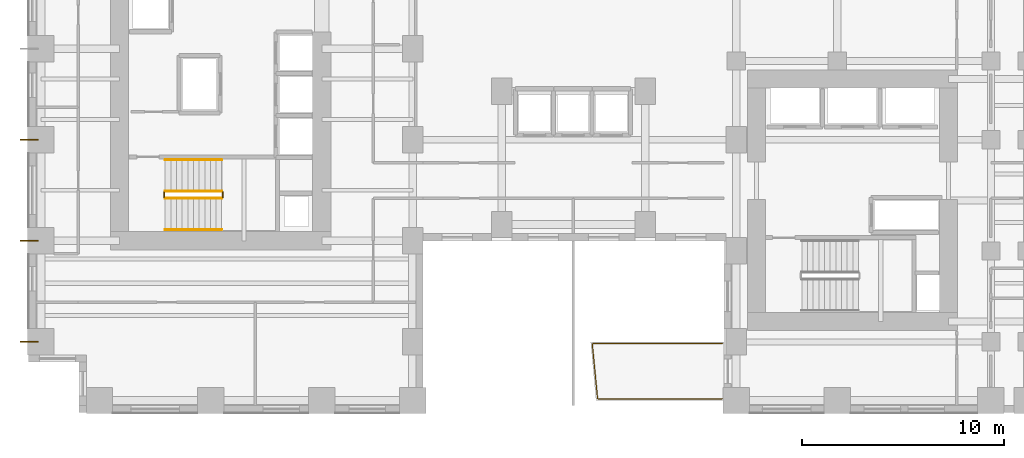
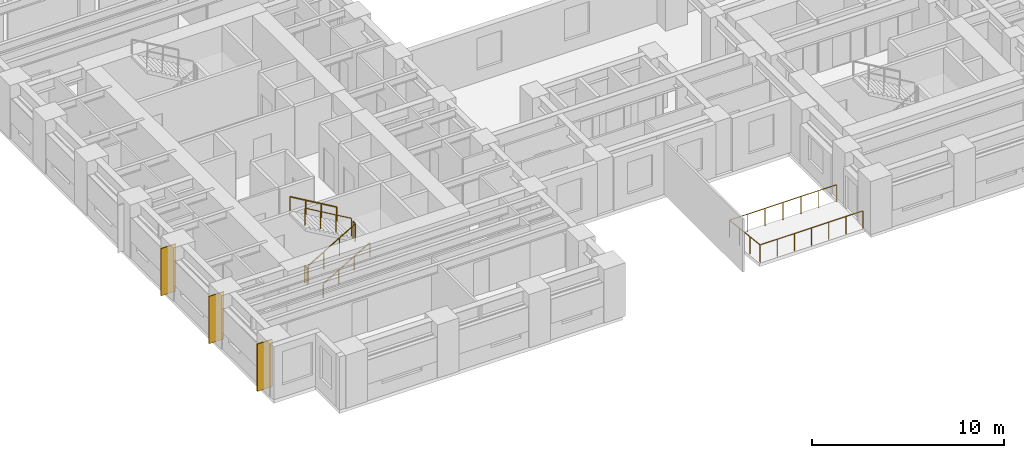
# One storey, part 11 of 13: 7 railings, 3 coverings.
"""IFC4 building model written with IfcOpenShell, lengths in metres."""

from ifc_helpers import new_model, si_unit, direction, frame, origin, origin_2d, place, context, subcontext, project, spatial, rectangle, circle, extrude, source, transform, mapped, material, layer, layer_set, type_object, element, save


model = new_model("IFC4")

# Units and contexts
model_context = context("Model", 3, precision=1e-05, world=origin(), true_north=direction((0.0, 1.0)))
body_context = subcontext(model_context, "Body", "Model", "MODEL_VIEW")
ifc_project = project(units=[si_unit("LENGTHUNIT", "METRE"), si_unit("AREAUNIT", "SQUARE_METRE"), si_unit("VOLUMEUNIT", "CUBIC_METRE"), si_unit("PLANEANGLEUNIT", "RADIAN"), si_unit("MASSUNIT", "GRAM", prefix="KILO")], contexts=[model_context])

# Site, building, storey
site_placement = place(None, origin())
site = spatial("IfcSite", under=ifc_project, at=site_placement, CompositionType="ELEMENT")
building_placement = place(site_placement, origin())
building = spatial("IfcBuilding", under=site, at=building_placement, Name="Kharzan Plaza Tower", CompositionType="ELEMENT")
storey_placement = place(building_placement, frame((0.0, 0.0, 47.699951171875)))
storey = spatial("IfcBuildingStorey", under=building, at=storey_placement, Name="L12", CompositionType="ELEMENT", Elevation=47.699951171875)

# Railings
ifc_material_1 = material(Name="Painted Galvanized Architectural Steel", Category="steel")
ifc_layer_1 = layer(ifc_material_1, 0.074951171875)
ifc_layer_set_1 = layer_set([ifc_layer_1], Name="Painted Galvanized Architectural Steel")
railing_type_1 = type_object("IfcRailingType", Name="RL-GUARD-1120", PredefinedType="BALUSTRADE", material=ifc_layer_set_1)
shared_shape_1 = source(origin(), body_context, "Body", "SweptSolid", [
    extrude(circle(Radius=0.02392578125, at=origin_2d()), frame((0.0, 0.0263671875, 1.09619140625), z_axis=(0.0, 1.0, 0.0), x_axis=(-1.0, 0.0, 0.0)), (0.0, 0.0, 1.0), 0.197021484375),
    extrude(circle(Radius=0.02099609375, at=origin_2d()), origin(), (0.0, 0.0, 1.0), 1.072021484375),
    extrude(circle(Radius=0.02099609375, at=origin_2d()), frame((0.0, 0.25, 0.0)), (0.0, 0.0, 1.0), 1.072021484375),
])
for number, where, name in (
    (1, (9.60009765625, 10.64990234375, 1.800048828125), "L12 ST-1 stair guard 2"),
    (2, (6.699951171875, 10.64990234375, 0.0), "L12 ST-1 stair guard 4"),
):
    element("IfcRailing", number, at=place(storey_placement, frame(where)), inside=storey, type_object=railing_type_1, Name=name, PredefinedType="BALUSTRADE", context=body_context, shape_type="MappedRepresentation", body=[
        mapped(shared_shape_1, transform((0.0, 0.0, 0.0), x_axis=(1.0, 0.0, 0.0), y_axis=(0.0, 1.0, 0.0), z_axis=(0.0, 0.0, 1.0))),
    ])

# Coverings
ifc_material_2 = material(Name="Honed Riyadh Limestone", Category="masonry")
ifc_layer_2 = layer(ifc_material_2, 0.06005859375)
ifc_layer_set_2 = layer_set([ifc_layer_2], Name="Honed Riyadh Limestone")
covering_type = type_object("IfcCoveringType", Name="COV-CLAD-STONE", PredefinedType="CLADDING", material=ifc_layer_set_2)
shared_shape_2 = source(origin(), body_context, "Body", "SweptSolid", [
    extrude(rectangle(XDim=0.06005859375, YDim=0.89990234375, at=origin_2d()), origin(), (0.0, 0.0, 1.0), 3.0),
])
for number, where, z_axis, x_axis, name in (
    (3, (0.02001953125, 13.5, 0.10009765625), (0.0, 0.0, 1.0), (0.0, 1.0, 0.0), "L12 Limestone Pier Rainscreen Cladding TCW-135"),
    (4, (0.02001953125, 3.5, 0.10009765625), (0.0, 0.0, 1.0), (0.0, 1.0, 0.0), "L12 Limestone Pier Rainscreen Cladding TCW-35"),
    (5, (0.02001953125, 8.5, 0.10009765625), (0.0, 0.0, 1.0), (0.0, 1.0, 0.0), "L12 Limestone Pier Rainscreen Cladding TCW-85"),
):
    element("IfcCovering", number, at=place(storey_placement, frame(where, z_axis=z_axis, x_axis=x_axis)), inside=storey, type_object=covering_type, Name=name, PredefinedType="CLADDING", context=body_context, shape_type="MappedRepresentation", body=[
        mapped(shared_shape_2, transform((0.0, 0.0, 0.0), x_axis=(1.0, 0.0, 0.0), y_axis=(0.0, 1.0, 0.0), z_axis=(0.0, 0.0, 1.0))),
    ])

# Railings
shared_shape_3 = source(origin(), body_context, "Body", "SweptSolid", [
    extrude(circle(Radius=0.02392578125, at=origin_2d()), frame((0.02294921875, 0.0, 1.109375), z_axis=(0.863360870873, 0.0, 0.504586966384), x_axis=(0.0, 1.0, 0.0)), (0.0, 0.0, 1.0), 3.190185546875),
    extrude(circle(Radius=0.02099609375, at=origin_2d()), origin(), (0.0, 0.0, 1.0), 1.072021484375),
    extrude(circle(Radius=0.02099609375, at=origin_2d()), frame((0.933349609375, 0.0, 0.54541015625)), (0.0, 0.0, 1.0), 1.072021484375),
    extrude(circle(Radius=0.02099609375, at=origin_2d()), frame((1.86669921875, 0.0, 1.091064453125)), (0.0, 0.0, 1.0), 1.072021484375),
    extrude(circle(Radius=0.02099609375, at=origin_2d()), frame((2.800048828125, 0.0, 1.636474609375)), (0.0, 0.0, 1.0), 1.072021484375),
])
railing_1_placement = place(storey_placement, frame((6.75, 10.60009765625, 0.16357421875)))
element("IfcRailing", 6, at=railing_1_placement, inside=storey, type_object=railing_type_1, Name="L12 ST-1 stair guard 1", PredefinedType="BALUSTRADE", context=body_context, shape_type="MappedRepresentation", body=[
    mapped(shared_shape_3, transform((0.0, 0.0, 0.0), x_axis=(1.0, 0.0, 0.0), y_axis=(0.0, 1.0, 0.0), z_axis=(0.0, 0.0, 1.0))),
])
shared_shape_4 = source(origin(), body_context, "Body", "SweptSolid", [
    extrude(circle(Radius=0.02392578125, at=origin_2d()), frame((-0.02294921875, 0.0, 1.109375), z_axis=(-0.863360870873, 0.0, 0.504586966384), x_axis=(0.0, -1.0, 0.0)), (0.0, 0.0, 1.0), 3.190185546875),
    extrude(circle(Radius=0.02099609375, at=origin_2d()), origin(), (0.0, 0.0, 1.0), 1.072021484375),
    extrude(circle(Radius=0.02099609375, at=origin_2d()), frame((-0.933349609375, 0.0, 0.54541015625)), (0.0, 0.0, 1.0), 1.072021484375),
    extrude(circle(Radius=0.02099609375, at=origin_2d()), frame((-1.86669921875, 0.0, 1.091064453125)), (0.0, 0.0, 1.0), 1.072021484375),
    extrude(circle(Radius=0.02099609375, at=origin_2d()), frame((-2.800048828125, 0.0, 1.636474609375)), (0.0, 0.0, 1.0), 1.072021484375),
])
railing_2_placement = place(storey_placement, frame((9.550048828125, 10.949951171875, 1.963623046875)))
element("IfcRailing", 7, at=railing_2_placement, inside=storey, type_object=railing_type_1, Name="L12 ST-1 stair guard 3", PredefinedType="BALUSTRADE", context=body_context, shape_type="MappedRepresentation", body=[
    mapped(shared_shape_4, transform((0.0, 0.0, 0.0), x_axis=(1.0, 0.0, 0.0), y_axis=(0.0, 1.0, 0.0), z_axis=(0.0, 0.0, 1.0))),
])
ifc_material_3 = material(Name="Brushed Stainless Steel", Category="steel")
ifc_layer_3 = layer(ifc_material_3, 0.050048828125)
ifc_layer_set_3 = layer_set([ifc_layer_3], Name="Brushed Stainless Steel")
railing_type_2 = type_object("IfcRailingType", Name="RL-STAIR-HR920", PredefinedType="HANDRAIL", material=ifc_layer_set_3)
shared_shape_5 = source(origin(), body_context, "Body", "SweptSolid", [
    extrude(circle(Radius=0.02392578125, at=origin_2d()), frame((0.02294921875, 0.0, 0.88916015625), z_axis=(0.863360870873, 0.0, 0.504586966384), x_axis=(0.0, 1.0, 0.0)), (0.0, 0.0, 1.0), 3.190185546875),
    extrude(circle(Radius=0.02099609375, at=origin_2d()), origin(), (0.0, 0.0, 1.0), 0.851806640625),
    extrude(circle(Radius=0.02099609375, at=origin_2d()), frame((0.933349609375, 0.0, 0.54541015625)), (0.0, 0.0, 1.0), 0.851806640625),
    extrude(circle(Radius=0.02099609375, at=origin_2d()), frame((1.86669921875, 0.0, 1.091064453125)), (0.0, 0.0, 1.0), 0.851806640625),
    extrude(circle(Radius=0.02099609375, at=origin_2d()), frame((2.800048828125, 0.0, 1.636474609375)), (0.0, 0.0, 1.0), 0.851806640625),
])
railing_3_placement = place(storey_placement, frame((6.75, 9.050048828125, 0.16357421875)))
element("IfcRailing", 8, at=railing_3_placement, inside=storey, type_object=railing_type_2, Name="L12 ST-1 stair handrail 1", PredefinedType="HANDRAIL", context=body_context, shape_type="MappedRepresentation", body=[
    mapped(shared_shape_5, transform((0.0, 0.0, 0.0), x_axis=(1.0, 0.0, 0.0), y_axis=(0.0, 1.0, 0.0), z_axis=(0.0, 0.0, 1.0))),
])
shared_shape_6 = source(origin(), body_context, "Body", "SweptSolid", [
    extrude(circle(Radius=0.02392578125, at=origin_2d()), frame((-0.02294921875, 0.0, 0.88916015625), z_axis=(-0.863360870873, 0.0, 0.504586966384), x_axis=(0.0, -1.0, 0.0)), (0.0, 0.0, 1.0), 3.190185546875),
    extrude(circle(Radius=0.02099609375, at=origin_2d()), origin(), (0.0, 0.0, 1.0), 0.851806640625),
    extrude(circle(Radius=0.02099609375, at=origin_2d()), frame((-0.933349609375, 0.0, 0.54541015625)), (0.0, 0.0, 1.0), 0.851806640625),
    extrude(circle(Radius=0.02099609375, at=origin_2d()), frame((-1.86669921875, 0.0, 1.091064453125)), (0.0, 0.0, 1.0), 0.851806640625),
    extrude(circle(Radius=0.02099609375, at=origin_2d()), frame((-2.800048828125, 0.0, 1.636474609375)), (0.0, 0.0, 1.0), 0.851806640625),
])
railing_4_placement = place(storey_placement, frame((9.550048828125, 12.5, 1.963623046875)))
element("IfcRailing", 9, at=railing_4_placement, inside=storey, type_object=railing_type_2, Name="L12 ST-1 stair handrail 2", PredefinedType="HANDRAIL", context=body_context, shape_type="MappedRepresentation", body=[
    mapped(shared_shape_6, transform((0.0, 0.0, 0.0), x_axis=(1.0, 0.0, 0.0), y_axis=(0.0, 1.0, 0.0), z_axis=(0.0, 0.0, 1.0))),
])
shared_shape_7 = source(origin(), body_context, "Body", "SweptSolid", [
    extrude(circle(Radius=0.02392578125, at=origin_2d()), frame((-0.0263671875, 0.0, 1.09619140625), z_axis=(-1.0, 0.0, 0.0), x_axis=(0.0, -1.0, 0.0)), (0.0, 0.0, 1.0), 6.123046875),
    extrude(circle(Radius=0.02392578125, at=origin_2d()), frame((-6.178466796875, 0.0263671875, 1.09619140625), z_axis=(-0.095964210763, 0.995384785022, 0.0), x_axis=(-0.995384785022, -0.095964210763, 0.0)), (0.0, 0.0, 1.0), 2.69970703125),
    extrude(circle(Radius=0.02392578125, at=origin_2d()), frame((-6.413818359375, 2.739990234375, 1.09619140625), z_axis=(1.0, 0.0, 0.0), x_axis=(0.0, 1.0, 0.0)), (0.0, 0.0, 1.0), 6.38720703125),
    extrude(circle(Radius=0.02099609375, at=origin_2d()), origin(), (0.0, 0.0, 1.0), 1.072021484375),
    extrude(circle(Radius=0.02099609375, at=origin_2d()), frame((-1.029296875, 0.0, 0.0)), (0.0, 0.0, 1.0), 1.072021484375),
    extrude(circle(Radius=0.02099609375, at=origin_2d()), frame((-2.05859375, 0.0, 0.0)), (0.0, 0.0, 1.0), 1.072021484375),
    extrude(circle(Radius=0.02099609375, at=origin_2d()), frame((-3.087890625, 0.0, 0.0)), (0.0, 0.0, 1.0), 1.072021484375),
    extrude(circle(Radius=0.02099609375, at=origin_2d()), frame((-4.117431640625, 0.0, 0.0)), (0.0, 0.0, 1.0), 1.072021484375),
    extrude(circle(Radius=0.02099609375, at=origin_2d()), frame((-5.146728515625, 0.0, 0.0)), (0.0, 0.0, 1.0), 1.072021484375),
    extrude(circle(Radius=0.02099609375, at=origin_2d()), frame((-6.176025390625, 0.0, 0.0)), (0.0, 0.0, 1.0), 1.072021484375),
    extrude(circle(Radius=0.02099609375, at=origin_2d()), frame((-6.26416015625, 0.913330078125, 0.0)), (0.0, 0.0, 1.0), 1.072021484375),
    extrude(circle(Radius=0.02099609375, at=origin_2d()), frame((-6.35205078125, 1.82666015625, 0.0)), (0.0, 0.0, 1.0), 1.072021484375),
    extrude(circle(Radius=0.02099609375, at=origin_2d()), frame((-6.440185546875, 2.739990234375, 0.0)), (0.0, 0.0, 1.0), 1.072021484375),
    extrude(circle(Radius=0.02099609375, at=origin_2d()), frame((-5.36669921875, 2.739990234375, 0.0)), (0.0, 0.0, 1.0), 1.072021484375),
    extrude(circle(Radius=0.02099609375, at=origin_2d()), frame((-4.29345703125, 2.739990234375, 0.0)), (0.0, 0.0, 1.0), 1.072021484375),
    extrude(circle(Radius=0.02099609375, at=origin_2d()), frame((-3.22021484375, 2.739990234375, 0.0)), (0.0, 0.0, 1.0), 1.072021484375),
    extrude(circle(Radius=0.02099609375, at=origin_2d()), frame((-2.146728515625, 2.739990234375, 0.0)), (0.0, 0.0, 1.0), 1.072021484375),
    extrude(circle(Radius=0.02099609375, at=origin_2d()), frame((-1.0732421875, 2.739990234375, 0.0)), (0.0, 0.0, 1.0), 1.072021484375),
    extrude(circle(Radius=0.02099609375, at=origin_2d()), frame((0.0, 2.739990234375, 0.0)), (0.0, 0.0, 1.0), 1.072021484375),
])
railing_5_placement = place(storey_placement, frame((34.320068359375, 0.679931640625, 0.0)))
element("IfcRailing", 10, at=railing_5_placement, inside=storey, type_object=railing_type_1, Name="L12 Cantilevered Sky-Terrace Tray Balustrade", PredefinedType="BALUSTRADE", context=body_context, shape_type="MappedRepresentation", body=[
    mapped(shared_shape_7, transform((0.0, 0.0, 0.0), x_axis=(1.0, 0.0, 0.0), y_axis=(0.0, 1.0, 0.0), z_axis=(0.0, 0.0, 1.0))),
])

save(model, "model.ifc")
